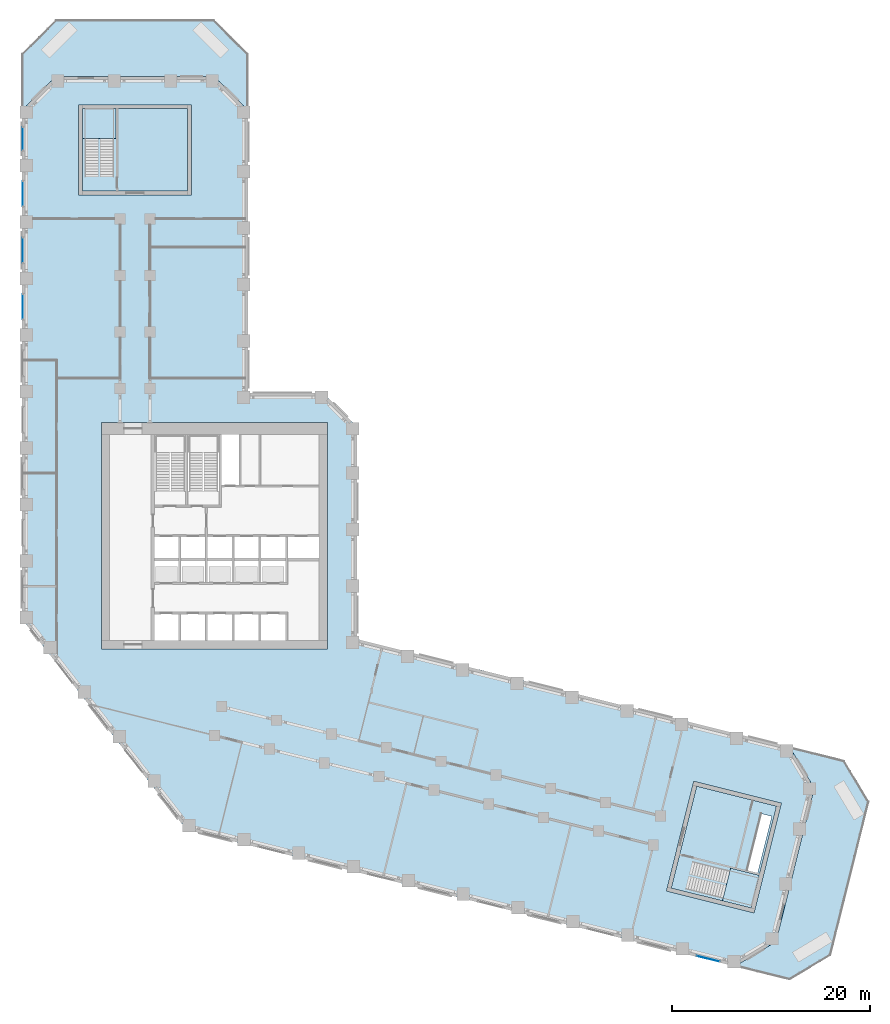
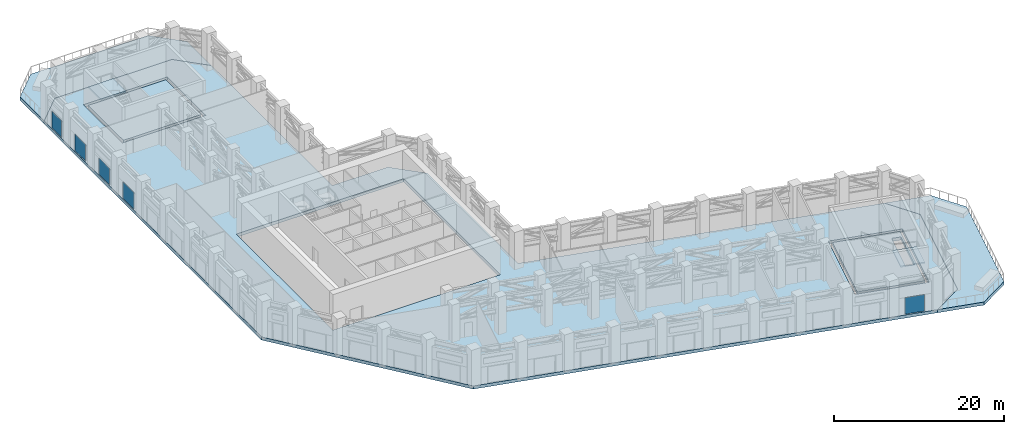
# One storey, part 11 of 21: 7 slabs, 5 plates, 7 elements without a shape of their own.
"""IFC4 building model written with IfcOpenShell, lengths in metres."""

from ifc_helpers import new_model, si_unit, direction, frame, origin, origin_2d, place, context, subcontext, project, spatial, polyline, rectangle, outline, extrude, material, layer, layer_set, type_object, element, aggregate, save


model = new_model("IFC4")

# Units and contexts
model_context = context("Model", 3, precision=1e-05, world=origin(), true_north=direction((0.0, 1.0)))
body_context = subcontext(model_context, "Body", "Model", "MODEL_VIEW")
ifc_project = project(units=[si_unit("LENGTHUNIT", "METRE"), si_unit("AREAUNIT", "SQUARE_METRE"), si_unit("VOLUMEUNIT", "CUBIC_METRE"), si_unit("PLANEANGLEUNIT", "RADIAN"), si_unit("MASSUNIT", "GRAM", prefix="KILO")], contexts=[model_context])

# Site, building, storey
site_placement = place(None, origin())
site = spatial("IfcSite", under=ifc_project, at=site_placement, CompositionType="ELEMENT")
building_placement = place(site_placement, origin())
building = spatial("IfcBuilding", under=site, at=building_placement, Name="Meshkara Civic Tower", CompositionType="ELEMENT")
storey_placement = place(building_placement, frame((0.0, 0.0, 156.0)))
storey = spatial("IfcBuildingStorey", under=building, at=storey_placement, Name="L35", CompositionType="ELEMENT", Elevation=156.0)

# Curtain wall, plate
ifc_material_1 = material(Name="Tinted double glazing", Category="glass")
curtain_wall_type = type_object("IfcCurtainWallType", Name="CW SKY LOBBY BAND", PredefinedType="NOTDEFINED", material=ifc_material_1)
curtain_wall_1_placement = place(storey_placement, origin())
curtain_wall_1 = element("IfcCurtainWall", 1, at=curtain_wall_1_placement, inside=storey, type_object=curtain_wall_type, Name="Curtain wall CW2", PredefinedType="NOTDEFINED")
ifc_material_2 = material(Name="Tinted double glazing", Category="glass")
ifc_layer_1 = layer(ifc_material_2, 0.028076171875)
ifc_layer_set_1 = layer_set([ifc_layer_1], Name="CW PANEL IGU 28")
plate_type = type_object("IfcPlateType", Name="CW PANEL IGU 28", PredefinedType="CURTAIN_PANEL", material=ifc_layer_set_1)
plate_1_placement = place(storey_placement, frame((0.080078125, 65.534423828125, 0.06005859375), z_axis=(0.0, 0.0, 1.0), x_axis=(0.0, -1.0, 0.0)))
plate_1 = element("IfcPlate", 2, at=plate_1_placement, type_object=plate_type, Name="CW2 panel 1.1", PredefinedType="CURTAIN_PANEL", context=body_context, shape_type="SweptSolid", body=[
    extrude(rectangle(XDim=2.31494140625, YDim=0.028076171875, at=origin_2d()), origin(), (0.0, 0.0, 1.0), 2.3798828125),
])
aggregate(curtain_wall_1, [plate_1])

curtain_wall_2_placement = place(storey_placement, origin())
curtain_wall_2 = element("IfcCurtainWall", 3, at=curtain_wall_2_placement, inside=storey, type_object=curtain_wall_type, Name="Curtain wall CW2", PredefinedType="NOTDEFINED")
plate_2_placement = place(storey_placement, frame((0.080078125, 60.0048828125, 0.06005859375), z_axis=(0.0, 0.0, 1.0), x_axis=(0.0, -1.0, 0.0)))
plate_2 = element("IfcPlate", 4, at=plate_2_placement, type_object=plate_type, Name="CW2 panel 1.1", PredefinedType="CURTAIN_PANEL", context=body_context, shape_type="SweptSolid", body=[
    extrude(rectangle(XDim=2.52001953125, YDim=0.028076171875, at=origin_2d()), origin(), (0.0, 0.0, 1.0), 2.3798828125),
])
aggregate(curtain_wall_2, [plate_2])

curtain_wall_3_placement = place(storey_placement, origin())
curtain_wall_3 = element("IfcCurtainWall", 5, at=curtain_wall_3_placement, inside=storey, type_object=curtain_wall_type, Name="Curtain wall CW2", PredefinedType="NOTDEFINED")
plate_3_placement = place(storey_placement, frame((0.080078125, 54.304443359375, 0.06005859375), z_axis=(0.0, 0.0, 1.0), x_axis=(0.0, -1.0, 0.0)))
plate_3 = element("IfcPlate", 6, at=plate_3_placement, type_object=plate_type, Name="CW2 panel 1.1", PredefinedType="CURTAIN_PANEL", context=body_context, shape_type="SweptSolid", body=[
    extrude(rectangle(XDim=2.51904296875, YDim=0.028076171875, at=origin_2d()), origin(), (0.0, 0.0, 1.0), 2.3798828125),
])
aggregate(curtain_wall_3, [plate_3])

curtain_wall_4_placement = place(storey_placement, origin())
curtain_wall_4 = element("IfcCurtainWall", 7, at=curtain_wall_4_placement, inside=storey, type_object=curtain_wall_type, Name="Curtain wall CW2", PredefinedType="NOTDEFINED")
plate_4_placement = place(storey_placement, frame((0.080078125, 48.60498046875, 0.06005859375), z_axis=(0.0, 0.0, 1.0), x_axis=(0.0, -1.0, 0.0)))
plate_4 = element("IfcPlate", 8, at=plate_4_placement, type_object=plate_type, Name="CW2 panel 1.1", PredefinedType="CURTAIN_PANEL", context=body_context, shape_type="SweptSolid", body=[
    extrude(rectangle(XDim=2.52001953125, YDim=0.028076171875, at=origin_2d()), origin(), (0.0, 0.0, 1.0), 2.3798828125),
])
aggregate(curtain_wall_4, [plate_4])

curtain_wall_5_placement = place(storey_placement, origin())
curtain_wall_5 = element("IfcCurtainWall", 9, at=curtain_wall_5_placement, inside=storey, type_object=curtain_wall_type, Name="Curtain wall CW2", PredefinedType="NOTDEFINED")
plate_5_placement = place(storey_placement, frame((69.2099609375, -17.173095703125, 0.06005859375), z_axis=(0.0, 0.0, 1.0), x_axis=(0.970283263497, -0.241971875591, 0.0)))
plate_5 = element("IfcPlate", 10, at=plate_5_placement, type_object=plate_type, Name="CW2 panel 1.1", PredefinedType="CURTAIN_PANEL", context=body_context, shape_type="SweptSolid", body=[
    extrude(rectangle(XDim=2.384521484375, YDim=0.028076171875, at=origin_2d()), origin(), (0.0, 0.0, 1.0), 2.3798828125),
])
aggregate(curtain_wall_5, [plate_5])

# Slabs
ifc_material_3 = material(Name="Concrete C40/50", Category="concrete")
ifc_layer_2 = layer(ifc_material_3, 0.449951171875)
ifc_layer_set_2 = layer_set([ifc_layer_2], Name="Core floor slab 450 C40/50")
slab_type_1 = type_object("IfcSlabType", Name="Core floor slab 450 C40/50", PredefinedType="FLOOR", material=ifc_layer_set_2)
slab_1_placement = place(storey_placement, frame((0.0, 0.0, -0.449951171875)))
element("IfcSlab", 11, at=slab_1_placement, inside=storey, type_object=slab_type_1, Name="Core floor EA", PredefinedType="FLOOR", context=body_context, shape_type="SweptSolid", body=[
    extrude(outline(polyline([(6.10009765625, 60.27001953125), (16.699951171875, 60.27001953125), (16.699951171875, 68.570068359375), (6.10009765625, 68.570068359375), (6.10009765625, 60.27001953125)])), origin(), (0.0, 0.0, 1.0), 0.449951171875),
])
slab_2_placement = place(storey_placement, frame((0.0, 0.0, -0.449951171875)))
element("IfcSlab", 12, at=slab_2_placement, inside=storey, type_object=slab_type_1, Name="Core floor EB", PredefinedType="FLOOR", context=body_context, shape_type="SweptSolid", body=[
    extrude(outline(polyline([(68.050537109375, 0.244384765625), (76.10400390625, -1.763671875), (73.53955078125, -12.048828125), (65.486083984375, -10.040771484375), (68.050537109375, 0.244384765625)]), holes=[polyline([(73.10986328125, -8.23095703125), (74.197265625, -8.501953125), (75.619140625, -2.799072265625), (74.53173828125, -2.528076171875), (73.10986328125, -8.23095703125)])]), origin(), (0.0, 0.0, 1.0), 0.449951171875),
])

# Stair, slab
ifc_material_4 = material(Name="Precast concrete C40/50", Category="concrete")
stair_type = type_object("IfcStairType", Name="Exit stair half-turn 30 risers precast", PredefinedType="HALF_TURN_STAIR", material=ifc_material_4)
stair_1_placement = place(storey_placement, origin())
stair_1 = element("IfcStair", 13, at=stair_1_placement, inside=storey, type_object=stair_type, Name="L35 exit stair A from L35", PredefinedType="HALF_TURN_STAIR")
ifc_material_5 = material(Name="Precast concrete C40/50", Category="concrete")
ifc_layer_3 = layer(ifc_material_5, 0.199951171875)
ifc_layer_set_3 = layer_set([ifc_layer_3], Name="Exit stair landing 200")
slab_type_2 = type_object("IfcSlabType", Name="Exit stair landing 200", PredefinedType="LANDING", material=ifc_layer_set_3)
slab_3_placement = place(storey_placement, frame((0.0, 0.0, 2.5)))
slab_3 = element("IfcSlab", 14, at=slab_3_placement, type_object=slab_type_2, Name="ESA3 landing 1", PredefinedType="LANDING", context=body_context, shape_type="SweptSolid", body=[
    extrude(outline(polyline([(9.5, 65.58837890625), (9.5, 68.570068359375), (6.10009765625, 68.570068359375), (6.10009765625, 65.58837890625), (9.5, 65.58837890625)])), origin(), (0.0, 0.0, 1.0), 0.199951171875),
])
aggregate(stair_1, [slab_3])

stair_2_placement = place(storey_placement, origin())
stair_2 = element("IfcStair", 15, at=stair_2_placement, inside=storey, type_object=stair_type, Name="L35 exit stair B from L35", PredefinedType="HALF_TURN_STAIR")
slab_4_placement = place(storey_placement, frame((0.0, 0.0, 2.5)))
slab_4 = element("IfcSlab", 16, at=slab_4_placement, type_object=slab_type_2, Name="ESB3 landing 1", PredefinedType="LANDING", context=body_context, shape_type="SweptSolid", body=[
    extrude(outline(polyline([(70.646240234375, -11.327880859375), (73.5400390625, -12.049072265625), (74.3623046875, -8.7490234375), (71.46875, -8.02783203125), (70.646240234375, -11.327880859375)])), origin(), (0.0, 0.0, 1.0), 0.199951171875),
])
aggregate(stair_2, [slab_4])

# Slabs
ifc_material_6 = material(Name="Concrete C50", Category="concrete")
ifc_layer_4 = layer(ifc_material_6, 0.449951171875)
ifc_layer_set_4 = layer_set([ifc_layer_4], Name="Terrace slab 450 C50")
slab_type_3 = type_object("IfcSlabType", Name="Terrace slab 450 C50", PredefinedType="ROOF", material=ifc_layer_set_4)
slab_5_placement = place(storey_placement, frame((0.0, 0.0, -0.449951171875)))
element("IfcSlab", 17, at=slab_5_placement, inside=storey, type_object=slab_type_3, Name="Terrace slab L35", PredefinedType="ROOF", context=body_context, shape_type="SweptSolid", body=[
    extrude(outline(polyline([(3.419921875, 77.52001953125), (19.3798828125, 77.52001953125), (22.800048828125, 74.10009765625), (22.800048828125, 68.39990234375), (19.3798828125, 71.820068359375), (3.419921875, 71.820068359375), (0.0, 68.39990234375), (0.0, 74.10009765625), (3.419921875, 77.52001953125)])), origin(), (0.0, 0.0, 1.0), 0.449951171875),
])
slab_6_placement = place(storey_placement, frame((0.0, 0.0, -0.449951171875)))
element("IfcSlab", 18, at=slab_6_placement, inside=storey, type_object=slab_type_3, Name="Terrace slab L35", PredefinedType="ROOF", context=body_context, shape_type="SweptSolid", body=[
    extrude(outline(polyline([(85.43603515625, -1.327880859375), (81.574951171875, -16.81396484375), (77.429931640625, -19.304931640625), (71.89892578125, -17.926025390625), (76.044921875, -15.43505859375), (79.906005859375, 0.051025390625), (77.4150390625, 4.196044921875), (82.945068359375, 2.81689453125), (85.43603515625, -1.327880859375)])), origin(), (0.0, 0.0, 1.0), 0.449951171875),
])
ifc_material_7 = material(Name="Concrete C60", Category="concrete")
ifc_layer_5 = layer(ifc_material_7, 0.449951171875)
ifc_layer_set_5 = layer_set([ifc_layer_5], Name="Transfer plate 450 C60")
slab_type_4 = type_object("IfcSlabType", Name="Transfer plate 450 C60", PredefinedType="FLOOR", material=ifc_layer_set_5)
slab_7_placement = place(storey_placement, frame((0.0, 0.0, -0.449951171875)))
element("IfcSlab", 19, at=slab_7_placement, inside=storey, type_object=slab_type_4, Name="Transfer plate L35", PredefinedType="FLOOR", context=body_context, shape_type="SweptSolid", body=[
    extrude(outline(polyline([(76.044921875, -15.43505859375), (71.89892578125, -17.926025390625), (16.592041015625, -4.136962890625), (0.0, 17.10009765625), (0.0, 68.39990234375), (3.419921875, 71.820068359375), (19.3798828125, 71.820068359375), (22.800048828125, 68.39990234375), (22.800048828125, 39.89990234375), (30.3798828125, 39.89990234375), (33.800048828125, 36.47998046875), (33.800048828125, 15.071044921875), (77.4150390625, 4.196044921875), (79.906005859375, 0.051025390625), (76.044921875, -15.43505859375)]), holes=[polyline([(73.8310546875, -12.533935546875), (76.589111328125, -1.471923828125), (67.759033203125, 0.72900390625), (65.0009765625, -10.33203125), (73.8310546875, -12.533935546875)]), polyline([(8.0, 14.10009765625), (30.800048828125, 14.10009765625), (30.800048828125, 36.89990234375), (8.0, 36.89990234375), (8.0, 14.10009765625)]), polyline([(5.699951171875, 68.969970703125), (5.699951171875, 59.8701171875), (17.10009765625, 59.8701171875), (17.10009765625, 68.969970703125), (5.699951171875, 68.969970703125)])]), origin(), (0.0, 0.0, 1.0), 0.449951171875),
])

save(model, "model.ifc")
